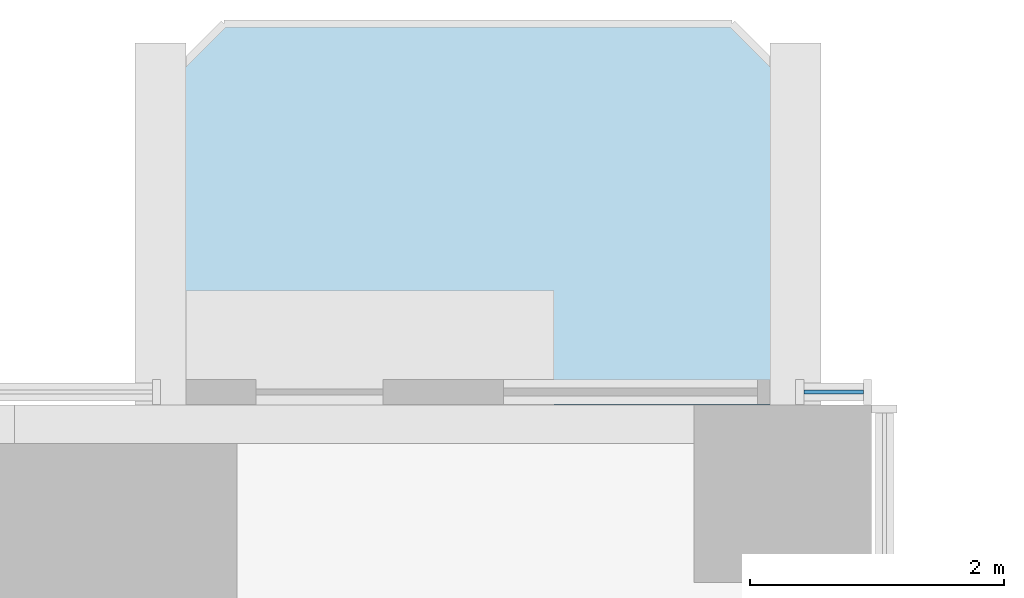
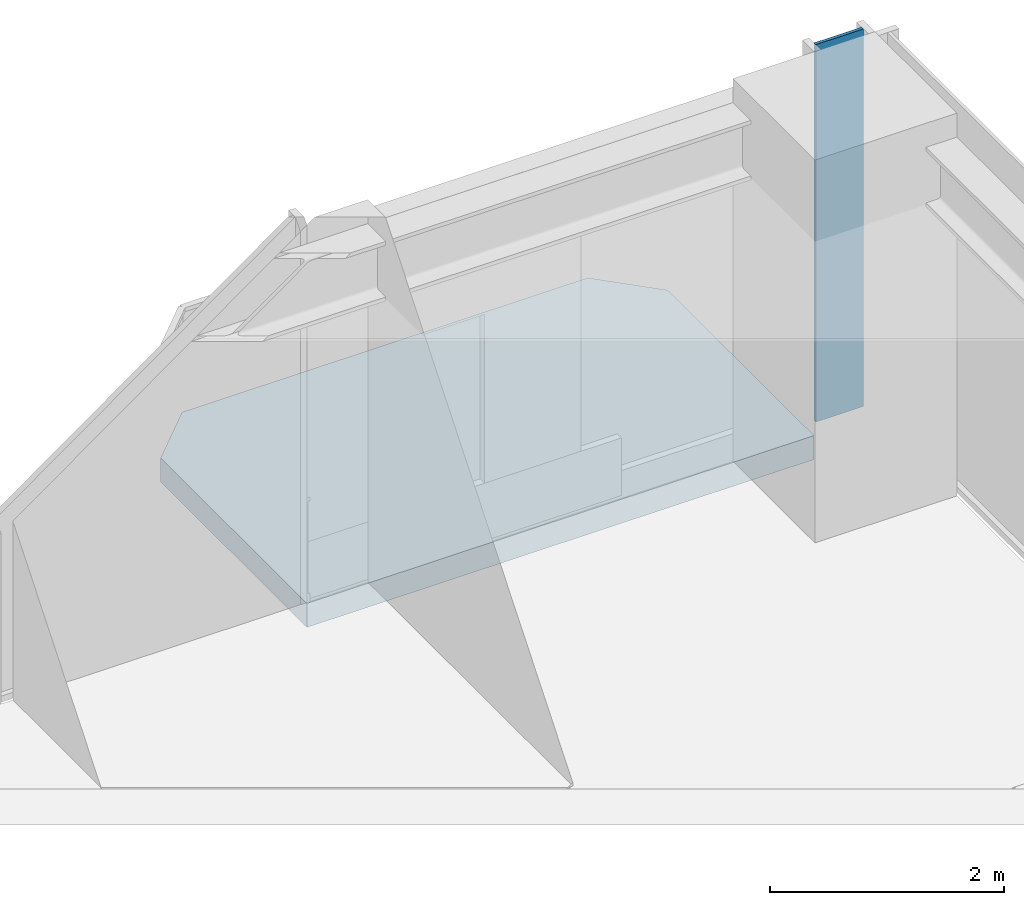
# One storey, part 9 of 16: 1 plate, 1 slab, 1 element without a shape of its own.
"""IFC4 building model written with IfcOpenShell, lengths in metres."""

from ifc_helpers import new_model, si_unit, direction, frame, origin, origin_2d, place, context, subcontext, project, spatial, polyline, rectangle, outline, extrude, material, layer, layer_set, type_object, element, aggregate, save


model = new_model("IFC4")

# Units and contexts
model_context = context("Model", 3, precision=1e-05, world=origin(), true_north=direction((0.0, 1.0)))
body_context = subcontext(model_context, "Body", "Model", "MODEL_VIEW")
ifc_project = project(units=[si_unit("LENGTHUNIT", "METRE"), si_unit("AREAUNIT", "SQUARE_METRE"), si_unit("VOLUMEUNIT", "CUBIC_METRE"), si_unit("PLANEANGLEUNIT", "RADIAN"), si_unit("MASSUNIT", "GRAM", prefix="KILO")], contexts=[model_context])

# Site, building, storey
site_placement = place(None, origin())
site = spatial("IfcSite", under=ifc_project, at=site_placement, CompositionType="ELEMENT")
building_placement = place(site_placement, origin())
building = spatial("IfcBuilding", under=site, at=building_placement, Name="Svetlomir Tower", CompositionType="ELEMENT")
storey_placement = place(building_placement, frame((0.0, 0.0, 22.5)))
storey = spatial("IfcBuildingStorey", under=building, at=storey_placement, Name="L04", CompositionType="ELEMENT", Elevation=22.5)

# Slab
ifc_material_1 = material(Name="Concrete C60/75", Category="concrete")
ifc_layer_1 = layer(ifc_material_1, 0.25)
ifc_layer_set_1 = layer_set([ifc_layer_1], Name="Concrete C60/75")
slab_type = type_object("IfcSlabType", Name="BALCONY SLAB 250", PredefinedType="FLOOR", material=ifc_layer_set_1)
slab_placement = place(storey_placement, frame((0.0, 0.0, -0.25)))
element("IfcSlab", 1, at=slab_placement, inside=storey, type_object=slab_type, Name="L04 N planted balcony", PredefinedType="FLOOR", context=body_context, shape_type="SweptSolid", body=[
    extrude(outline(polyline([(30.39990234375, 42.0), (35.39990234375, 42.0), (35.39990234375, 44.5), (34.89990234375, 45.0), (30.89990234375, 45.0), (30.39990234375, 44.5), (30.39990234375, 42.0)])), origin(), (0.0, 0.0, 1.0), 0.25),
])

# Curtain wall, plate
ifc_material_2 = material(Name="Bronze anodised aluminium curtain wall", Category="aluminium")
curtain_wall_type = type_object("IfcCurtainWallType", Name="CURTAIN WALL CW1 TOWER OFFICE", PredefinedType="NOTDEFINED", material=ifc_material_2)
curtain_wall_placement = place(storey_placement, origin())
curtain_wall = element("IfcCurtainWall", 2, at=curtain_wall_placement, inside=storey, type_object=curtain_wall_type, Name="Curtain wall CW1 L04", PredefinedType="NOTDEFINED")
ifc_material_3 = material(Name="Tinted double glazed unit", Category="glass")
ifc_layer_2 = layer(ifc_material_3, 0.031982421875)
ifc_layer_set_2 = layer_set([ifc_layer_2], Name="Tinted double glazed unit")
plate_type = type_object("IfcPlateType", Name="CW1 GLAZED PANEL 32", PredefinedType="CURTAIN_PANEL", material=ifc_layer_set_2)
plate_placement = place(storey_placement, frame((35.699951171875, 42.10009765625, 0.06494140625), z_axis=(0.0, 0.0, 1.0), x_axis=(-1.0, 0.0, 0.0)))
plate = element("IfcPlate", 3, at=plate_placement, type_object=plate_type, Name="CW1 panel 1.1", PredefinedType="CURTAIN_PANEL", context=body_context, shape_type="SweptSolid", body=[
    extrude(rectangle(XDim=0.469970703125, YDim=0.031982421875, at=origin_2d()), origin(), (0.0, 0.0, 1.0), 3.93505859375),
])
aggregate(curtain_wall, [plate])

save(model, "model.ifc")
